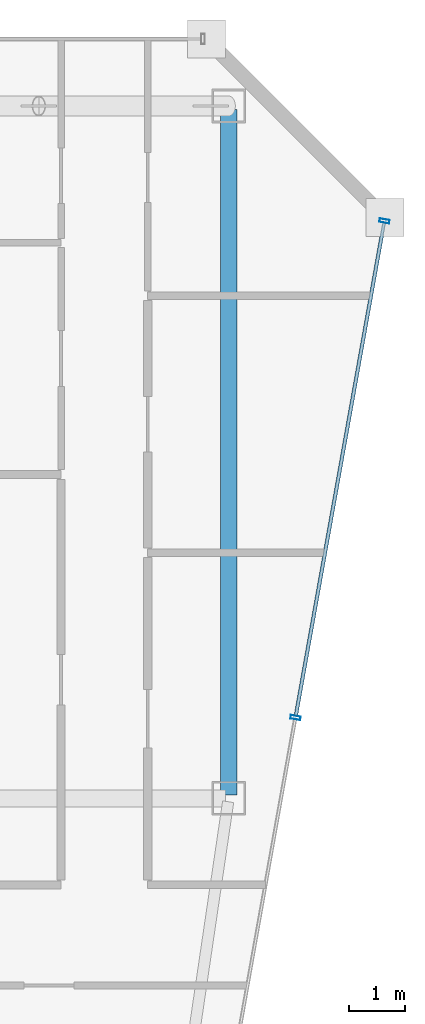
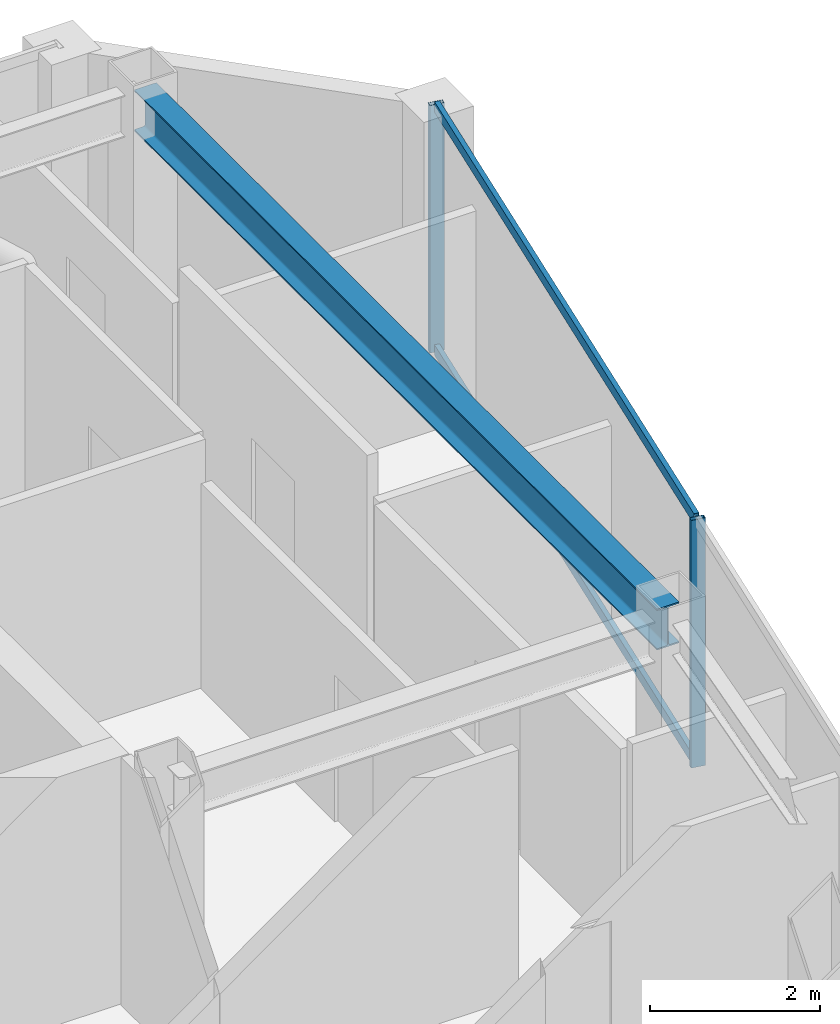
# One storey, part 19 of 32: 4 members, 1 beam, 1 element without a shape of its own.
"""IFC4 building model written with IfcOpenShell, lengths in metres."""

from ifc_helpers import new_model, si_unit, direction, frame, origin, origin_2d, place, context, subcontext, project, spatial, hollow_rectangle, i_section, extrude, material, material_profile, profile_set, type_object, element, aggregate, save


model = new_model("IFC4")

# Units and contexts
model_context = context("Model", 3, precision=1e-05, world=origin(), true_north=direction((0.0, 1.0)))
body_context = subcontext(model_context, "Body", "Model", "MODEL_VIEW")
ifc_project = project(units=[si_unit("LENGTHUNIT", "METRE"), si_unit("AREAUNIT", "SQUARE_METRE"), si_unit("VOLUMEUNIT", "CUBIC_METRE"), si_unit("PLANEANGLEUNIT", "RADIAN"), si_unit("MASSUNIT", "GRAM", prefix="KILO")], contexts=[model_context])

# Site, building, storey
site_placement = place(None, origin())
site = spatial("IfcSite", under=ifc_project, at=site_placement, CompositionType="ELEMENT")
building_placement = place(site_placement, origin())
building = spatial("IfcBuilding", under=site, at=building_placement, Name="Saevonmaru Cultural Tower", CompositionType="ELEMENT")
storey_placement = place(building_placement, frame((0.0, 0.0, 261.0)))
storey = spatial("IfcBuildingStorey", under=building, at=storey_placement, Name="L61", CompositionType="ELEMENT", Elevation=261.0)

# Beam
ifc_material_1 = material(Name="Steel SM355", Category="steel")
ifc_material_profile_1 = material_profile(ifc_material_1, i_section(OverallWidth=0.300048828125, OverallDepth=0.587890625, WebThickness=0.011962890625, FlangeThickness=0.02001953125, FilletRadius=0.02392578125, at=origin_2d()), Name="H-588x300x12x20")
ifc_profile_set_1 = profile_set([ifc_material_profile_1], Name="Steel SM355")
beam_type = type_object("IfcBeamType", Name="BM-G-H588", PredefinedType="BEAM", material=ifc_profile_set_1)
beam_placement = place(storey_placement, frame((53.199951171875, 54.739990234375, 3.256103515625), z_axis=(0.0, -1.0, 0.0), x_axis=(1.0, 0.0, 0.0)))
element("IfcBeam", 1, at=beam_placement, inside=storey, type_object=beam_type, Name="L61 Spine Transverse Girder E", PredefinedType="BEAM", context=body_context, shape_type="SweptSolid", body=[
    extrude(i_section(OverallWidth=0.300048828125, OverallDepth=0.587890625, WebThickness=0.011962890625, FlangeThickness=0.02001953125, FilletRadius=0.02392578125, at=origin_2d()), origin(), (0.0, 0.0, 1.0), 12.280029296875),
])

# Curtain wall, members
ifc_material_2 = material(Name="Satin Bronze Anodised Aluminium", Category="aluminium")
curtain_wall_type = type_object("IfcCurtainWallType", Name="CW-TYP-B", PredefinedType="NOTDEFINED", material=ifc_material_2)
curtain_wall_placement = place(storey_placement, origin())
curtain_wall = element("IfcCurtainWall", 2, at=curtain_wall_placement, inside=storey, type_object=curtain_wall_type, Name="L61 Unitised Curtain Wall E8", PredefinedType="NOTDEFINED")
ifc_material_profile_2 = material_profile(ifc_material_2, hollow_rectangle(XDim=0.06494140625, YDim=0.179931640625, WallThickness=0.00390625, at=origin_2d()), Name="ALU-MULL-180x65x4")
ifc_profile_set_2 = profile_set([ifc_material_profile_2], Name="Satin Bronze Anodised Aluminium")
member_type_1 = type_object("IfcMemberType", Name="ML-CW-180x65", PredefinedType="MULLION", material=ifc_profile_set_2)
member_1_placement = place(storey_placement, frame((54.39794921875, 43.846923828125, 0.0), z_axis=(0.0, 0.0, 1.0), x_axis=(0.176140740755, 0.984364993001, 0.0)))
member_1 = element("IfcMember", 3, at=member_1_placement, type_object=member_type_1, Name="CW-TW-L61-E8 mullion 3", PredefinedType="MULLION", context=body_context, shape_type="SweptSolid", body=[
    extrude(hollow_rectangle(XDim=0.06494140625, YDim=0.179931640625, WallThickness=0.00390625, at=origin_2d()), origin(), (0.0, 0.0, 1.0), 3.550048828125),
])
member_2_placement = place(storey_placement, frame((55.989501953125, 52.740966796875, 0.0), z_axis=(0.0, 0.0, 1.0), x_axis=(0.176140740755, 0.984364993001, 0.0)))
member_2 = element("IfcMember", 4, at=member_2_placement, type_object=member_type_1, Name="CW-TW-L61-E8 mullion 4", PredefinedType="MULLION", context=body_context, shape_type="SweptSolid", body=[
    extrude(hollow_rectangle(XDim=0.06494140625, YDim=0.179931640625, WallThickness=0.00390625, at=origin_2d()), origin(), (0.0, 0.0, 1.0), 3.550048828125),
])
ifc_material_profile_3 = material_profile(ifc_material_2, hollow_rectangle(XDim=0.06494140625, YDim=0.14990234375, WallThickness=0.00390625, at=origin_2d()), Name="ALU-TRAN-150x65x4")
ifc_profile_set_3 = profile_set([ifc_material_profile_3], Name="Satin Bronze Anodised Aluminium")
member_type_2 = type_object("IfcMemberType", Name="TR-CW-150x65", PredefinedType="USERDEFINED", material=ifc_profile_set_3)
member_3_placement = place(storey_placement, frame((54.403564453125, 43.87890625, 0.032470703125), z_axis=(0.176144810911, 0.984364264685, 0.0), x_axis=(-0.984364264685, 0.176144810911, 0.0)))
member_3 = element("IfcMember", 5, at=member_3_placement, type_object=member_type_2, Name="CW-TW-L61-E8 transom 3.1", ObjectType="TRANSOM", PredefinedType="USERDEFINED", context=body_context, shape_type="SweptSolid", body=[
    extrude(hollow_rectangle(XDim=0.06494140625, YDim=0.14990234375, WallThickness=0.00390625, at=origin_2d()), origin(), (0.0, 0.0, 1.0), 8.97021484375),
])
member_4_placement = place(storey_placement, frame((54.403564453125, 43.87890625, 3.517578125), z_axis=(0.176144810911, 0.984364264685, 0.0), x_axis=(-0.984364264685, 0.176144810911, 0.0)))
member_4 = element("IfcMember", 6, at=member_4_placement, type_object=member_type_2, Name="CW-TW-L61-E8 transom 3.2", ObjectType="TRANSOM", PredefinedType="USERDEFINED", context=body_context, shape_type="SweptSolid", body=[
    extrude(hollow_rectangle(XDim=0.06494140625, YDim=0.14990234375, WallThickness=0.00390625, at=origin_2d()), origin(), (0.0, 0.0, 1.0), 8.97021484375),
])
aggregate(curtain_wall, [member_1, member_2, member_3, member_4])

save(model, "model.ifc")
